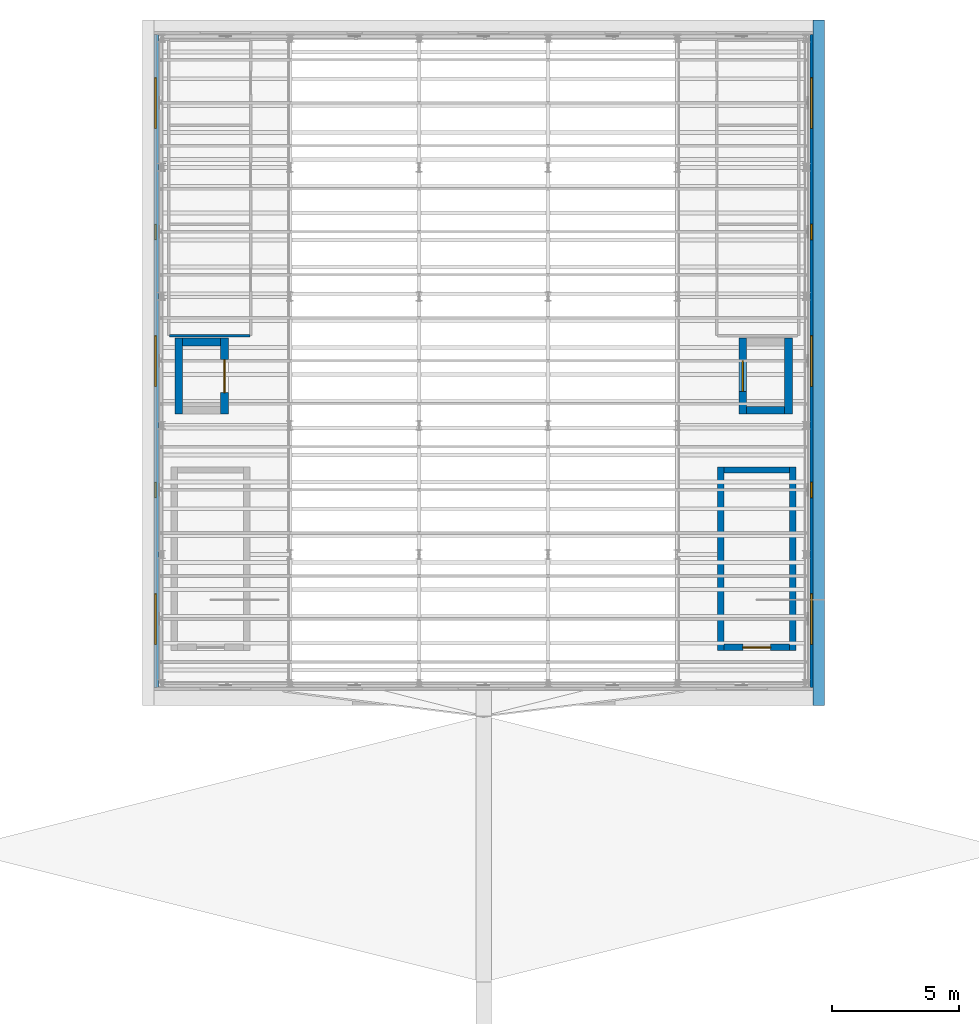
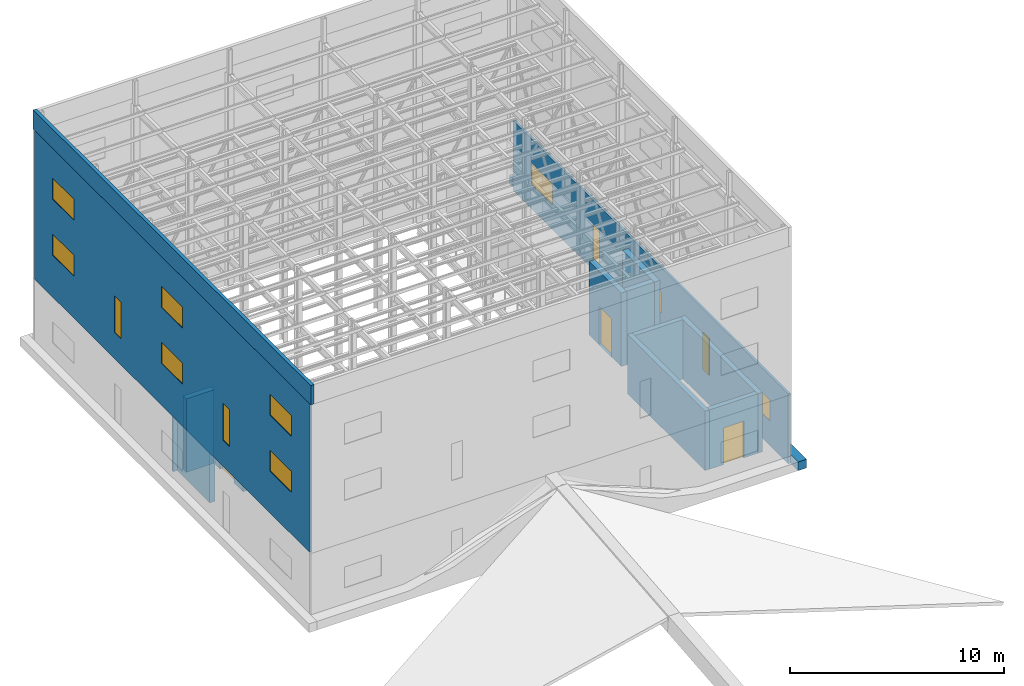
# One storey, part 19 of 22: 15 walls, 13 windows, 3 doors, 16 openings.
"""IFC4 building model written with IfcOpenShell, lengths in metres."""

from ifc_helpers import new_model, si_unit, direction, frame, frame_2d, origin, place, context, subcontext, project, spatial, polyline, rectangle, outline, extrude, material, layer, layer_set, type_object, element, fill, save


model = new_model("IFC4")

# Units and contexts
model_context = context("Model", 3, precision=1e-05, world=origin(), true_north=direction((0.0, 1.0)))
body_context = subcontext(model_context, "Body", "Model", "MODEL_VIEW")
ifc_project = project(units=[si_unit("LENGTHUNIT", "METRE"), si_unit("AREAUNIT", "SQUARE_METRE"), si_unit("VOLUMEUNIT", "CUBIC_METRE"), si_unit("PLANEANGLEUNIT", "RADIAN"), si_unit("MASSUNIT", "GRAM", prefix="KILO")], contexts=[model_context])

# Site, building, storey
site_placement = place(None, origin())
site = spatial("IfcSite", under=ifc_project, at=site_placement, CompositionType="ELEMENT")
building_placement = place(site_placement, origin())
building = spatial("IfcBuilding", under=site, at=building_placement, Name="Tide Square Theatres", CompositionType="ELEMENT")
storey_placement = place(building_placement, frame((0.0, 0.0, 24.0)))
storey = spatial("IfcBuildingStorey", under=building, at=storey_placement, Name="L05", CompositionType="ELEMENT", Elevation=24.0)

# Wall, openings, windows
ifc_material_1 = material(Name="Insulated metal panel, galvanised steel faces ASTM A653 SS Grade 340", Category="steel")
ifc_layer_1 = layer(ifc_material_1, 0.1201171875)
ifc_layer_set_1 = layer_set([ifc_layer_1], Name="Insulated metal panel, galvanised steel faces ASTM A653 SS Grade 340")
wall_type_1 = type_object("IfcWallType", Name="Insulated cladding wall 120 thick", PredefinedType="STANDARD", material=ifc_layer_set_1)
wall_1_placement = place(storey_placement, frame((71.06005859375, 56.1201171875, 4.0), z_axis=(0.0, 0.0, 1.0), x_axis=(0.0, 1.0, 0.0)))
wall_1 = element("IfcWall", 1, at=wall_1_placement, inside=storey, type_object=wall_type_1, Name="Fly tower crown cladding wall", PredefinedType="STANDARD", context=body_context, shape_type="SweptSolid", body=[
    extrude(rectangle(XDim=25.759765625, YDim=0.1201171875, at=frame_2d((12.8798828125, 0.0))), origin(), (0.0, 0.0, 1.0), 8.5),
])
opening_1_placement = place(wall_1_placement, frame((1.70068359375, 0.0, 2.39990234375)))
opening_1 = element("IfcOpeningElement", 2, at=opening_1_placement, cuts=wall_1, Name="Opening WN-23", PredefinedType="OPENING", context=body_context, shape_type="SweptSolid", body=[
    extrude(rectangle(XDim=2.0, YDim=1.199951171875, at=frame_2d((1.0, 0.60009765625))), frame((0.0, 0.070068359375, 0.0), z_axis=(0.0, -1.0, 0.0), x_axis=(1.0, 0.0, 0.0)), (0.0, 0.0, 1.0), 0.14013671875),
])
opening_2_placement = place(wall_1_placement, frame((1.70068359375, 0.0, 5.60009765625)))
opening_2 = element("IfcOpeningElement", 3, at=opening_2_placement, cuts=wall_1, Name="Opening WN-23", PredefinedType="OPENING", context=body_context, shape_type="SweptSolid", body=[
    extrude(rectangle(XDim=2.0, YDim=1.199951171875, at=frame_2d((1.0, 0.60009765625))), frame((0.0, 0.070068359375, 0.0), z_axis=(0.0, -1.0, 0.0), x_axis=(1.0, 0.0, 0.0)), (0.0, 0.0, 1.0), 0.14013671875),
])
opening_3_placement = place(wall_1_placement, frame((11.8798828125, 0.0, 2.39990234375)))
opening_3 = element("IfcOpeningElement", 4, at=opening_3_placement, cuts=wall_1, Name="Opening WN-23", PredefinedType="OPENING", context=body_context, shape_type="SweptSolid", body=[
    extrude(rectangle(XDim=2.0, YDim=1.199951171875, at=frame_2d((1.0, 0.60009765625))), frame((0.0, 0.070068359375, 0.0), z_axis=(0.0, -1.0, 0.0), x_axis=(1.0, 0.0, 0.0)), (0.0, 0.0, 1.0), 0.14013671875),
])
opening_4_placement = place(wall_1_placement, frame((11.8798828125, 0.0, 5.60009765625)))
opening_4 = element("IfcOpeningElement", 5, at=opening_4_placement, cuts=wall_1, Name="Opening WN-23", PredefinedType="OPENING", context=body_context, shape_type="SweptSolid", body=[
    extrude(rectangle(XDim=2.0, YDim=1.199951171875, at=frame_2d((1.0, 0.60009765625))), frame((0.0, 0.070068359375, 0.0), z_axis=(0.0, -1.0, 0.0), x_axis=(1.0, 0.0, 0.0)), (0.0, 0.0, 1.0), 0.14013671875),
])
opening_5_placement = place(wall_1_placement, frame((22.05908203125, 0.0, 2.39990234375)))
opening_5 = element("IfcOpeningElement", 6, at=opening_5_placement, cuts=wall_1, Name="Opening WN-23", PredefinedType="OPENING", context=body_context, shape_type="SweptSolid", body=[
    extrude(rectangle(XDim=2.0, YDim=1.199951171875, at=frame_2d((1.0, 0.60009765625))), frame((0.0, 0.070068359375, 0.0), z_axis=(0.0, -1.0, 0.0), x_axis=(1.0, 0.0, 0.0)), (0.0, 0.0, 1.0), 0.14013671875),
])
opening_6_placement = place(wall_1_placement, frame((22.05908203125, 0.0, 5.60009765625)))
opening_6 = element("IfcOpeningElement", 7, at=opening_6_placement, cuts=wall_1, Name="Opening WN-23", PredefinedType="OPENING", context=body_context, shape_type="SweptSolid", body=[
    extrude(rectangle(XDim=2.0, YDim=1.199951171875, at=frame_2d((1.0, 0.60009765625))), frame((0.0, 0.070068359375, 0.0), z_axis=(0.0, -1.0, 0.0), x_axis=(1.0, 0.0, 0.0)), (0.0, 0.0, 1.0), 0.14013671875),
])
opening_7_placement = place(wall_1_placement, frame((7.490478515625, 0.0, 1.5)))
opening_7 = element("IfcOpeningElement", 8, at=opening_7_placement, cuts=wall_1, Name="Opening WN-11", PredefinedType="OPENING", context=body_context, shape_type="SweptSolid", body=[
    extrude(rectangle(XDim=0.60009765625, YDim=2.10009765625, at=frame_2d((0.300048828125, 1.050048828125))), frame((0.0, 0.070068359375, 0.0), z_axis=(0.0, -1.0, 0.0), x_axis=(1.0, 0.0, 0.0)), (0.0, 0.0, 1.0), 0.14013671875),
])
opening_8_placement = place(wall_1_placement, frame((17.669677734375, 0.0, 1.5)))
opening_8 = element("IfcOpeningElement", 9, at=opening_8_placement, cuts=wall_1, Name="Opening WN-11", PredefinedType="OPENING", context=body_context, shape_type="SweptSolid", body=[
    extrude(rectangle(XDim=0.60009765625, YDim=2.10009765625, at=frame_2d((0.300048828125, 1.050048828125))), frame((0.0, 0.070068359375, 0.0), z_axis=(0.0, -1.0, 0.0), x_axis=(1.0, 0.0, 0.0)), (0.0, 0.0, 1.0), 0.14013671875),
])
ifc_material_2 = material(Name="Aluminium with laminated glass", Category="aluminium")
window_type_1 = type_object("IfcWindowType", Name="Window 2000 x 1200", PartitioningType="DOUBLE_PANEL_VERTICAL", PredefinedType="WINDOW", material=ifc_material_2)
window_1_placement = place(opening_1_placement, origin())
window_1 = element("IfcWindow", 10, at=window_1_placement, inside=storey, type_object=window_type_1, Name="Fly tower louvre", OverallHeight=1.199951171875, OverallWidth=2.0, PartitioningType="SINGLE_PANEL", PredefinedType="WINDOW", context=body_context, shape_type="SweptSolid", body=[
    extrude(rectangle(XDim=2.0, YDim=1.199951171875, at=frame_2d((1.0, 0.60009765625))), frame((0.0, 0.030029296875, 0.0), z_axis=(0.0, -1.0, 0.0), x_axis=(1.0, 0.0, 0.0)), (0.0, 0.0, 1.0), 0.06005859375),
])
fill(opening_1, window_1)
window_2_placement = place(opening_2_placement, origin())
window_2 = element("IfcWindow", 11, at=window_2_placement, inside=storey, type_object=window_type_1, Name="Fly tower louvre", OverallHeight=1.199951171875, OverallWidth=2.0, PartitioningType="SINGLE_PANEL", PredefinedType="WINDOW", context=body_context, shape_type="SweptSolid", body=[
    extrude(rectangle(XDim=2.0, YDim=1.199951171875, at=frame_2d((1.0, 0.60009765625))), frame((0.0, 0.030029296875, 0.0), z_axis=(0.0, -1.0, 0.0), x_axis=(1.0, 0.0, 0.0)), (0.0, 0.0, 1.0), 0.06005859375),
])
fill(opening_2, window_2)
window_3_placement = place(opening_3_placement, origin())
window_3 = element("IfcWindow", 12, at=window_3_placement, inside=storey, type_object=window_type_1, Name="Fly tower louvre", OverallHeight=1.199951171875, OverallWidth=2.0, PartitioningType="SINGLE_PANEL", PredefinedType="WINDOW", context=body_context, shape_type="SweptSolid", body=[
    extrude(rectangle(XDim=2.0, YDim=1.199951171875, at=frame_2d((1.0, 0.60009765625))), frame((0.0, 0.030029296875, 0.0), z_axis=(0.0, -1.0, 0.0), x_axis=(1.0, 0.0, 0.0)), (0.0, 0.0, 1.0), 0.06005859375),
])
fill(opening_3, window_3)
window_4_placement = place(opening_4_placement, origin())
window_4 = element("IfcWindow", 13, at=window_4_placement, inside=storey, type_object=window_type_1, Name="Fly tower louvre", OverallHeight=1.199951171875, OverallWidth=2.0, PartitioningType="SINGLE_PANEL", PredefinedType="WINDOW", context=body_context, shape_type="SweptSolid", body=[
    extrude(rectangle(XDim=2.0, YDim=1.199951171875, at=frame_2d((1.0, 0.60009765625))), frame((0.0, 0.030029296875, 0.0), z_axis=(0.0, -1.0, 0.0), x_axis=(1.0, 0.0, 0.0)), (0.0, 0.0, 1.0), 0.06005859375),
])
fill(opening_4, window_4)
window_5_placement = place(opening_5_placement, origin())
window_5 = element("IfcWindow", 14, at=window_5_placement, inside=storey, type_object=window_type_1, Name="Fly tower louvre", OverallHeight=1.199951171875, OverallWidth=2.0, PartitioningType="SINGLE_PANEL", PredefinedType="WINDOW", context=body_context, shape_type="SweptSolid", body=[
    extrude(rectangle(XDim=2.0, YDim=1.199951171875, at=frame_2d((1.0, 0.60009765625))), frame((0.0, 0.030029296875, 0.0), z_axis=(0.0, -1.0, 0.0), x_axis=(1.0, 0.0, 0.0)), (0.0, 0.0, 1.0), 0.06005859375),
])
fill(opening_5, window_5)
window_6_placement = place(opening_6_placement, origin())
window_6 = element("IfcWindow", 15, at=window_6_placement, inside=storey, type_object=window_type_1, Name="Fly tower louvre", OverallHeight=1.199951171875, OverallWidth=2.0, PartitioningType="SINGLE_PANEL", PredefinedType="WINDOW", context=body_context, shape_type="SweptSolid", body=[
    extrude(rectangle(XDim=2.0, YDim=1.199951171875, at=frame_2d((1.0, 0.60009765625))), frame((0.0, 0.030029296875, 0.0), z_axis=(0.0, -1.0, 0.0), x_axis=(1.0, 0.0, 0.0)), (0.0, 0.0, 1.0), 0.06005859375),
])
fill(opening_6, window_6)
ifc_material_3 = material(Name="Aluminium with laminated glass", Category="aluminium")
window_type_2 = type_object("IfcWindowType", Name="Window 600 x 2100", PartitioningType="SINGLE_PANEL", PredefinedType="WINDOW", material=ifc_material_3)
window_7_placement = place(opening_7_placement, origin())
window_7 = element("IfcWindow", 16, at=window_7_placement, inside=storey, type_object=window_type_2, Name="Fly tower vent slot", OverallHeight=2.10009765625, OverallWidth=0.60009765625, PartitioningType="SINGLE_PANEL", PredefinedType="WINDOW", context=body_context, shape_type="SweptSolid", body=[
    extrude(rectangle(XDim=0.60009765625, YDim=2.10009765625, at=frame_2d((0.300048828125, 1.050048828125))), frame((0.0, 0.030029296875, 0.0), z_axis=(0.0, -1.0, 0.0), x_axis=(1.0, 0.0, 0.0)), (0.0, 0.0, 1.0), 0.06005859375),
])
fill(opening_7, window_7)
window_8_placement = place(opening_8_placement, origin())
window_8 = element("IfcWindow", 17, at=window_8_placement, inside=storey, type_object=window_type_2, Name="Fly tower vent slot", OverallHeight=2.10009765625, OverallWidth=0.60009765625, PartitioningType="SINGLE_PANEL", PredefinedType="WINDOW", context=body_context, shape_type="SweptSolid", body=[
    extrude(rectangle(XDim=0.60009765625, YDim=2.10009765625, at=frame_2d((0.300048828125, 1.050048828125))), frame((0.0, 0.030029296875, 0.0), z_axis=(0.0, -1.0, 0.0), x_axis=(1.0, 0.0, 0.0)), (0.0, 0.0, 1.0), 0.06005859375),
])
fill(opening_8, window_8)

wall_2_placement = place(storey_placement, frame((96.93994140625, 56.1201171875, 0.0), z_axis=(0.0, 0.0, 1.0), x_axis=(0.0, 1.0, 0.0)))
wall_2 = element("IfcWall", 18, at=wall_2_placement, inside=storey, type_object=wall_type_1, Name="Fly tower upper cladding wall", PredefinedType="STANDARD", context=body_context, shape_type="SweptSolid", body=[
    extrude(rectangle(XDim=25.759765625, YDim=0.1201171875, at=frame_2d((12.8798828125, 0.0))), origin(), (0.0, 0.0, 1.0), 4.0),
])
opening_9_placement = place(wall_2_placement, frame((1.70068359375, 0.0, 1.39990234375)))
opening_9 = element("IfcOpeningElement", 19, at=opening_9_placement, cuts=wall_2, Name="Opening WN-23", PredefinedType="OPENING", context=body_context, shape_type="SweptSolid", body=[
    extrude(rectangle(XDim=2.0, YDim=1.199951171875, at=frame_2d((1.0, 0.60009765625))), frame((0.0, 0.070068359375, 0.0), z_axis=(0.0, -1.0, 0.0), x_axis=(1.0, 0.0, 0.0)), (0.0, 0.0, 1.0), 0.14013671875),
])
opening_10_placement = place(wall_2_placement, frame((11.8798828125, 0.0, 1.39990234375)))
opening_10 = element("IfcOpeningElement", 20, at=opening_10_placement, cuts=wall_2, Name="Opening WN-23", PredefinedType="OPENING", context=body_context, shape_type="SweptSolid", body=[
    extrude(rectangle(XDim=2.0, YDim=1.199951171875, at=frame_2d((1.0, 0.60009765625))), frame((0.0, 0.070068359375, 0.0), z_axis=(0.0, -1.0, 0.0), x_axis=(1.0, 0.0, 0.0)), (0.0, 0.0, 1.0), 0.14013671875),
])
opening_11_placement = place(wall_2_placement, frame((22.05908203125, 0.0, 1.39990234375)))
opening_11 = element("IfcOpeningElement", 21, at=opening_11_placement, cuts=wall_2, Name="Opening WN-23", PredefinedType="OPENING", context=body_context, shape_type="SweptSolid", body=[
    extrude(rectangle(XDim=2.0, YDim=1.199951171875, at=frame_2d((1.0, 0.60009765625))), frame((0.0, 0.070068359375, 0.0), z_axis=(0.0, -1.0, 0.0), x_axis=(1.0, 0.0, 0.0)), (0.0, 0.0, 1.0), 0.14013671875),
])
opening_12_placement = place(wall_2_placement, frame((7.490478515625, 0.0, 0.5)))
opening_12 = element("IfcOpeningElement", 22, at=opening_12_placement, cuts=wall_2, Name="Opening WN-11", PredefinedType="OPENING", context=body_context, shape_type="SweptSolid", body=[
    extrude(rectangle(XDim=0.60009765625, YDim=2.10009765625, at=frame_2d((0.300048828125, 1.050048828125))), frame((0.0, 0.070068359375, 0.0), z_axis=(0.0, -1.0, 0.0), x_axis=(1.0, 0.0, 0.0)), (0.0, 0.0, 1.0), 0.14013671875),
])
opening_13_placement = place(wall_2_placement, frame((17.669677734375, 0.0, 0.5)))
opening_13 = element("IfcOpeningElement", 23, at=opening_13_placement, cuts=wall_2, Name="Opening WN-11", PredefinedType="OPENING", context=body_context, shape_type="SweptSolid", body=[
    extrude(rectangle(XDim=0.60009765625, YDim=2.10009765625, at=frame_2d((0.300048828125, 1.050048828125))), frame((0.0, 0.070068359375, 0.0), z_axis=(0.0, -1.0, 0.0), x_axis=(1.0, 0.0, 0.0)), (0.0, 0.0, 1.0), 0.14013671875),
])
window_9_placement = place(opening_9_placement, origin())
window_9 = element("IfcWindow", 24, at=window_9_placement, inside=storey, type_object=window_type_1, Name="Fly tower louvre", OverallHeight=1.199951171875, OverallWidth=2.0, PartitioningType="SINGLE_PANEL", PredefinedType="WINDOW", context=body_context, shape_type="SweptSolid", body=[
    extrude(rectangle(XDim=2.0, YDim=1.199951171875, at=frame_2d((1.0, 0.60009765625))), frame((0.0, 0.030029296875, 0.0), z_axis=(0.0, -1.0, 0.0), x_axis=(1.0, 0.0, 0.0)), (0.0, 0.0, 1.0), 0.06005859375),
])
fill(opening_9, window_9)
window_10_placement = place(opening_10_placement, origin())
window_10 = element("IfcWindow", 25, at=window_10_placement, inside=storey, type_object=window_type_1, Name="Fly tower louvre", OverallHeight=1.199951171875, OverallWidth=2.0, PartitioningType="SINGLE_PANEL", PredefinedType="WINDOW", context=body_context, shape_type="SweptSolid", body=[
    extrude(rectangle(XDim=2.0, YDim=1.199951171875, at=frame_2d((1.0, 0.60009765625))), frame((0.0, 0.030029296875, 0.0), z_axis=(0.0, -1.0, 0.0), x_axis=(1.0, 0.0, 0.0)), (0.0, 0.0, 1.0), 0.06005859375),
])
fill(opening_10, window_10)
window_11_placement = place(opening_11_placement, origin())
window_11 = element("IfcWindow", 26, at=window_11_placement, inside=storey, type_object=window_type_1, Name="Fly tower louvre", OverallHeight=1.199951171875, OverallWidth=2.0, PartitioningType="SINGLE_PANEL", PredefinedType="WINDOW", context=body_context, shape_type="SweptSolid", body=[
    extrude(rectangle(XDim=2.0, YDim=1.199951171875, at=frame_2d((1.0, 0.60009765625))), frame((0.0, 0.030029296875, 0.0), z_axis=(0.0, -1.0, 0.0), x_axis=(1.0, 0.0, 0.0)), (0.0, 0.0, 1.0), 0.06005859375),
])
fill(opening_11, window_11)
window_12_placement = place(opening_12_placement, origin())
window_12 = element("IfcWindow", 27, at=window_12_placement, inside=storey, type_object=window_type_2, Name="Fly tower vent slot", OverallHeight=2.10009765625, OverallWidth=0.60009765625, PartitioningType="SINGLE_PANEL", PredefinedType="WINDOW", context=body_context, shape_type="SweptSolid", body=[
    extrude(rectangle(XDim=0.60009765625, YDim=2.10009765625, at=frame_2d((0.300048828125, 1.050048828125))), frame((0.0, 0.030029296875, 0.0), z_axis=(0.0, -1.0, 0.0), x_axis=(1.0, 0.0, 0.0)), (0.0, 0.0, 1.0), 0.06005859375),
])
fill(opening_12, window_12)
window_13_placement = place(opening_13_placement, origin())
window_13 = element("IfcWindow", 28, at=window_13_placement, inside=storey, type_object=window_type_2, Name="Fly tower vent slot", OverallHeight=2.10009765625, OverallWidth=0.60009765625, PartitioningType="SINGLE_PANEL", PredefinedType="WINDOW", context=body_context, shape_type="SweptSolid", body=[
    extrude(rectangle(XDim=0.60009765625, YDim=2.10009765625, at=frame_2d((0.300048828125, 1.050048828125))), frame((0.0, 0.030029296875, 0.0), z_axis=(0.0, -1.0, 0.0), x_axis=(1.0, 0.0, 0.0)), (0.0, 0.0, 1.0), 0.06005859375),
])
fill(opening_13, window_13)

# Walls
ifc_material_4 = material(Name="Gypsum board on steel studs", Category="steel")
ifc_layer_2 = layer(ifc_material_4, 0.10009765625)
ifc_layer_set_2 = layer_set([ifc_layer_2], Name="Gypsum board on steel studs")
wall_type_2 = type_object("IfcWallType", Name="Partition 100 thick", PredefinedType="PARTITIONING", material=ifc_layer_set_2)
wall_3_placement = place(storey_placement, frame((71.60595703125, 70.0, 0.0), z_axis=(0.0, 0.0, 1.0), x_axis=(1.0, 0.0, 0.0)))
element("IfcWall", 29, at=wall_3_placement, inside=storey, type_object=wall_type_2, Name="Partition", PredefinedType="PARTITIONING", context=body_context, shape_type="SweptSolid", body=[
    extrude(rectangle(XDim=3.169921875, YDim=0.10009765625, at=frame_2d((1.5849609375, 0.0))), origin(), (0.0, 0.0, 1.0), 3.199951171875),
])
ifc_material_5 = material(Name="Concrete C40", Category="concrete")
ifc_layer_3 = layer(ifc_material_5, 0.449951171875)
ifc_layer_set_3 = layer_set([ifc_layer_3], Name="Concrete C40")
wall_type_3 = type_object("IfcWallType", Name="RC curved wall 450 thick", PredefinedType="SOLIDWALL", material=ifc_layer_set_3)
wall_4_placement = place(storey_placement, frame((97.22509765625, 55.39990234375, 0.0), z_axis=(0.0, 0.0, 1.0), x_axis=(0.0, 1.0, 0.0)))
element("IfcWall", 30, at=wall_4_placement, inside=storey, type_object=wall_type_3, Name="Stage house wall", PredefinedType="SOLIDWALL", context=body_context, shape_type="SweptSolid", body=[
    extrude(outline(polyline([(0.0, 0.0), (27.050048828125, 0.0), (27.050048828125, 0.5), (25.75048828125, 0.5), (25.664306640625, 0.5), (25.578369140625, 0.5), (22.978271484375, 0.5), (22.89892578125, 0.5), (20.704345703125, 0.5), (20.50927734375, 0.5), (18.741943359375, 0.5), (18.677490234375, 0.5), (17.018310546875, 0.5), (16.956298828125, 0.5), (16.894287109375, 0.5), (13.935302734375, 0.5), (13.871337890625, 0.5), (13.80712890625, 0.5), (11.958251953125, 0.5), (11.896240234375, 0.5), (10.181396484375, 0.5), (10.025390625, 0.5), (8.45458984375, 0.5), (8.3974609375, 0.5), (6.844970703125, 0.5), (6.78857421875, 0.5), (6.732177734375, 0.5), (3.004150390625, 0.5), (2.947265625, 0.5), (2.890380859375, 0.5), (1.288330078125, 0.5), (1.23193359375, 0.5), (0.0, 0.5), (0.0, 0.0)])), frame((0.0, 0.22509765625, 0.0), z_axis=(0.0, -1.0, 0.0), x_axis=(1.0, 0.0, 0.0)), (0.0, 0.0, 1.0), 0.449951171875),
])
ifc_material_6 = material(Name="Concrete C40", Category="concrete")
ifc_layer_4 = layer(ifc_material_6, 0.179931640625)
ifc_layer_set_4 = layer_set([ifc_layer_4], Name="Concrete C40")
wall_type_4 = type_object("IfcWallType", Name="RC parapet 180 thick", PredefinedType="PARAPET", material=ifc_layer_set_4)
wall_5_placement = place(storey_placement, frame((71.090087890625, 56.0, 12.5), z_axis=(0.0, 0.0, 1.0), x_axis=(0.0, 1.0, 0.0)))
element("IfcWall", 31, at=wall_5_placement, inside=storey, type_object=wall_type_4, Name="Fly tower parapet", PredefinedType="PARAPET", context=body_context, shape_type="SweptSolid", body=[
    extrude(rectangle(XDim=26.0, YDim=0.179931640625, at=frame_2d((13.0, 0.0))), origin(), (0.0, 0.0, 1.0), 1.10009765625),
])
ifc_material_7 = material(Name="Concrete C40", Category="concrete")
ifc_layer_5 = layer(ifc_material_7, 0.25)
ifc_layer_set_5 = layer_set([ifc_layer_5], Name="Concrete C40")
wall_type_5 = type_object("IfcWallType", Name="RC shear wall 250 thick", PredefinedType="SHEAR", material=ifc_layer_set_5)
for number, where, z_axis, x_axis, name in (
    (32, (96.198974609375, 57.575927734375, 0.0), (0.0, 0.0, 1.0), (0.0, 1.0, 0.0), "Fly Tower east stair shaft wall"),
    (33, (93.34912109375, 64.825927734375, 0.0), (0.0, 0.0, 1.0), (0.0, -1.0, 0.0), "Fly Tower east stair shaft wall"),
):
    element("IfcWall", number, at=place(storey_placement, frame(where, z_axis=z_axis, x_axis=x_axis)), inside=storey, type_object=wall_type_5, Name=name, PredefinedType="SHEAR", context=body_context, shape_type="SweptSolid", body=[
        extrude(rectangle(XDim=7.25, YDim=0.25, at=frame_2d((3.625, 0.0))), origin(), (0.0, 0.0, 1.0), 3.39990234375),
    ])
wall_6_placement = place(storey_placement, frame((93.47412109375, 64.700927734375, 0.0), z_axis=(0.0, 0.0, 1.0), x_axis=(1.0, 0.0, 0.0)))
element("IfcWall", 34, at=wall_6_placement, inside=storey, type_object=wall_type_5, Name="Fly Tower east stair shaft wall", PredefinedType="SHEAR", context=body_context, shape_type="SweptSolid", body=[
    extrude(rectangle(XDim=2.599853515625, YDim=0.25, at=frame_2d((1.2998046875, 0.0))), origin(), (0.0, 0.0, 1.0), 3.39990234375),
])

# Wall, opening, door
wall_7_placement = place(storey_placement, frame((96.073974609375, 57.700927734375, 0.0), z_axis=(0.0, 0.0, 1.0), x_axis=(-1.0, 0.0, 0.0)))
wall_7 = element("IfcWall", 35, at=wall_7_placement, inside=storey, type_object=wall_type_5, Name="Fly Tower east stair shaft wall", PredefinedType="SHEAR", context=body_context, shape_type="SweptSolid", body=[
    extrude(rectangle(XDim=2.599853515625, YDim=0.25, at=frame_2d((1.2998046875, 0.0))), origin(), (0.0, 0.0, 1.0), 3.39990234375),
])
opening_14_placement = place(wall_7_placement, frame((0.75, 0.0, 0.0)))
opening_14 = element("IfcOpeningElement", 36, at=opening_14_placement, cuts=wall_7, Name="Opening T05-02", PredefinedType="OPENING", context=body_context, shape_type="SweptSolid", body=[
    extrude(rectangle(XDim=1.10009765625, YDim=2.10009765625, at=frame_2d((0.550048828125, 1.050048828125))), frame((0.0, 0.135009765625, 0.0), z_axis=(0.0, -1.0, 0.0), x_axis=(1.0, 0.0, 0.0)), (0.0, 0.0, 1.0), 0.27001953125),
])
ifc_material_8 = material(Name="Painted steel", Category="steel")
door_type_1 = type_object("IfcDoorType", Name="Door 1100 x 2100 single leaf", OperationType="NOTDEFINED", PredefinedType="DOOR", material=ifc_material_8)
door_1_placement = place(opening_14_placement, origin())
door_1 = element("IfcDoor", 37, at=door_1_placement, inside=storey, type_object=door_type_1, Name="Fly Tower east stair stair door", OperationType="SINGLE_SWING_RIGHT", OverallHeight=2.10009765625, OverallWidth=1.10009765625, PredefinedType="DOOR", context=body_context, shape_type="SweptSolid", body=[
    extrude(rectangle(XDim=1.10009765625, YDim=2.10009765625, at=frame_2d((0.550048828125, 1.050048828125))), frame((0.0, 0.02490234375, 0.0), z_axis=(0.0, -1.0, 0.0), x_axis=(1.0, 0.0, 0.0)), (0.0, 0.0, 1.0), 0.050048828125),
])
fill(opening_14, door_1)

# Walls
ifc_material_9 = material(Name="Concrete C40", Category="concrete")
ifc_layer_6 = layer(ifc_material_9, 0.300048828125)
ifc_layer_set_6 = layer_set([ifc_layer_6], Name="Concrete C40")
wall_type_6 = type_object("IfcWallType", Name="RC shear wall 300 thick", PredefinedType="SHEAR", material=ifc_layer_set_6)
wall_8_placement = place(storey_placement, frame((73.6259765625, 69.75, 0.0), z_axis=(0.0, 0.0, 1.0), x_axis=(-1.0, 0.0, 0.0)))
element("IfcWall", 38, at=wall_8_placement, inside=storey, type_object=wall_type_6, Name="Fly Tower lift 11 shaft wall", PredefinedType="SHEAR", context=body_context, shape_type="SweptSolid", body=[
    extrude(rectangle(XDim=1.5, YDim=0.300048828125, at=frame_2d((0.75, 0.0))), origin(), (0.0, 0.0, 1.0), 4.199951171875),
])
wall_9_placement = place(storey_placement, frame((71.97607421875, 66.89990234375, 0.0), z_axis=(0.0, 0.0, 1.0), x_axis=(0.0, 1.0, 0.0)))
element("IfcWall", 39, at=wall_9_placement, inside=storey, type_object=wall_type_6, Name="Fly Tower lift 11 shaft wall", PredefinedType="SHEAR", context=body_context, shape_type="SweptSolid", body=[
    extrude(rectangle(XDim=3.0, YDim=0.300048828125, at=frame_2d((1.5, 0.0))), origin(), (0.0, 0.0, 1.0), 4.199951171875),
])

# Wall, opening, door
wall_10_placement = place(storey_placement, frame((73.77587890625, 66.89990234375, 0.0), z_axis=(0.0, 0.0, 1.0), x_axis=(0.0, 1.0, 0.0)))
wall_10 = element("IfcWall", 40, at=wall_10_placement, inside=storey, type_object=wall_type_6, Name="Fly Tower lift 11 shaft wall", PredefinedType="SHEAR", context=body_context, shape_type="SweptSolid", body=[
    extrude(rectangle(XDim=3.0, YDim=0.300048828125, at=frame_2d((1.5, 0.0))), origin(), (0.0, 0.0, 1.0), 4.199951171875),
])
opening_15_placement = place(wall_10_placement, frame((0.85009765625, 0.0, 0.0)))
opening_15 = element("IfcOpeningElement", 41, at=opening_15_placement, cuts=wall_10, Name="Opening LD-T11-5", PredefinedType="OPENING", context=body_context, shape_type="SweptSolid", body=[
    extrude(rectangle(XDim=1.300048828125, YDim=2.300048828125, at=frame_2d((0.64990234375, 1.14990234375))), frame((0.0, 0.159912109375, 0.0), z_axis=(0.0, -1.0, 0.0), x_axis=(1.0, 0.0, 0.0)), (0.0, 0.0, 1.0), 0.320068359375),
])
ifc_material_10 = material(Name="Painted steel", Category="steel")
door_type_2 = type_object("IfcDoorType", Name="Door 1300 x 2300 sliding", OperationType="SLIDING_TO_LEFT", PredefinedType="DOOR", material=ifc_material_10)
door_2_placement = place(opening_15_placement, origin())
door_2 = element("IfcDoor", 42, at=door_2_placement, inside=storey, type_object=door_type_2, Name="Fly Tower Stretcher lift 1000 kg landing door L05", OperationType="SLIDING_TO_LEFT", OverallHeight=2.300048828125, OverallWidth=1.300048828125, PredefinedType="DOOR", context=body_context, shape_type="SweptSolid", body=[
    extrude(rectangle(XDim=1.300048828125, YDim=2.300048828125, at=frame_2d((0.64990234375, 1.14990234375))), frame((0.0, 0.02490234375, 0.0), z_axis=(0.0, -1.0, 0.0), x_axis=(1.0, 0.0, 0.0)), (0.0, 0.0, 1.0), 0.050048828125),
])
fill(opening_15, door_2)

# Wall
wall_11_placement = place(storey_placement, frame((94.3740234375, 67.050048828125, 0.0), z_axis=(0.0, 0.0, 1.0), x_axis=(1.0, 0.0, 0.0)))
element("IfcWall", 43, at=wall_11_placement, inside=storey, type_object=wall_type_6, Name="Fly Tower lift 12 shaft wall", PredefinedType="SHEAR", context=body_context, shape_type="SweptSolid", body=[
    extrude(rectangle(XDim=1.5, YDim=0.300048828125, at=frame_2d((0.75, 0.0))), origin(), (0.0, 0.0, 1.0), 4.199951171875),
])

# Wall, opening, door
wall_12_placement = place(storey_placement, frame((94.22412109375, 66.89990234375, 0.0), z_axis=(0.0, 0.0, 1.0), x_axis=(0.0, 1.0, 0.0)))
wall_12 = element("IfcWall", 44, at=wall_12_placement, inside=storey, type_object=wall_type_6, Name="Fly Tower lift 12 shaft wall", PredefinedType="SHEAR", context=body_context, shape_type="SweptSolid", body=[
    extrude(rectangle(XDim=3.0, YDim=0.300048828125, at=frame_2d((1.5, 0.0))), origin(), (0.0, 0.0, 1.0), 4.199951171875),
])
opening_16_placement = place(wall_12_placement, frame((0.89990234375, 0.0, 0.0)))
opening_16 = element("IfcOpeningElement", 45, at=opening_16_placement, cuts=wall_12, Name="Opening LD-T12-5", PredefinedType="OPENING", context=body_context, shape_type="SweptSolid", body=[
    extrude(rectangle(XDim=1.199951171875, YDim=2.199951171875, at=frame_2d((0.60009765625, 1.10009765625))), frame((0.0, 0.159912109375, 0.0), z_axis=(0.0, -1.0, 0.0), x_axis=(1.0, 0.0, 0.0)), (0.0, 0.0, 1.0), 0.320068359375),
])
ifc_material_11 = material(Name="Painted steel", Category="steel")
door_type_3 = type_object("IfcDoorType", Name="Door 1200 x 2200 sliding", OperationType="SLIDING_TO_LEFT", PredefinedType="DOOR", material=ifc_material_11)
door_3_placement = place(opening_16_placement, origin())
door_3 = element("IfcDoor", 46, at=door_3_placement, inside=storey, type_object=door_type_3, Name="Fly Tower Passenger lift 800 kg landing door L05", OperationType="SLIDING_TO_LEFT", OverallHeight=2.199951171875, OverallWidth=1.199951171875, PredefinedType="DOOR", context=body_context, shape_type="SweptSolid", body=[
    extrude(rectangle(XDim=1.199951171875, YDim=2.199951171875, at=frame_2d((0.60009765625, 1.10009765625))), frame((0.0, 0.02490234375, 0.0), z_axis=(0.0, -1.0, 0.0), x_axis=(1.0, 0.0, 0.0)), (0.0, 0.0, 1.0), 0.050048828125),
])
fill(opening_16, door_3)

# Wall
wall_13_placement = place(storey_placement, frame((96.02392578125, 66.89990234375, 0.0), z_axis=(0.0, 0.0, 1.0), x_axis=(0.0, 1.0, 0.0)))
element("IfcWall", 47, at=wall_13_placement, inside=storey, type_object=wall_type_6, Name="Fly Tower lift 12 shaft wall", PredefinedType="SHEAR", context=body_context, shape_type="SweptSolid", body=[
    extrude(rectangle(XDim=3.0, YDim=0.300048828125, at=frame_2d((1.5, 0.0))), origin(), (0.0, 0.0, 1.0), 4.199951171875),
])

save(model, "model.ifc")
